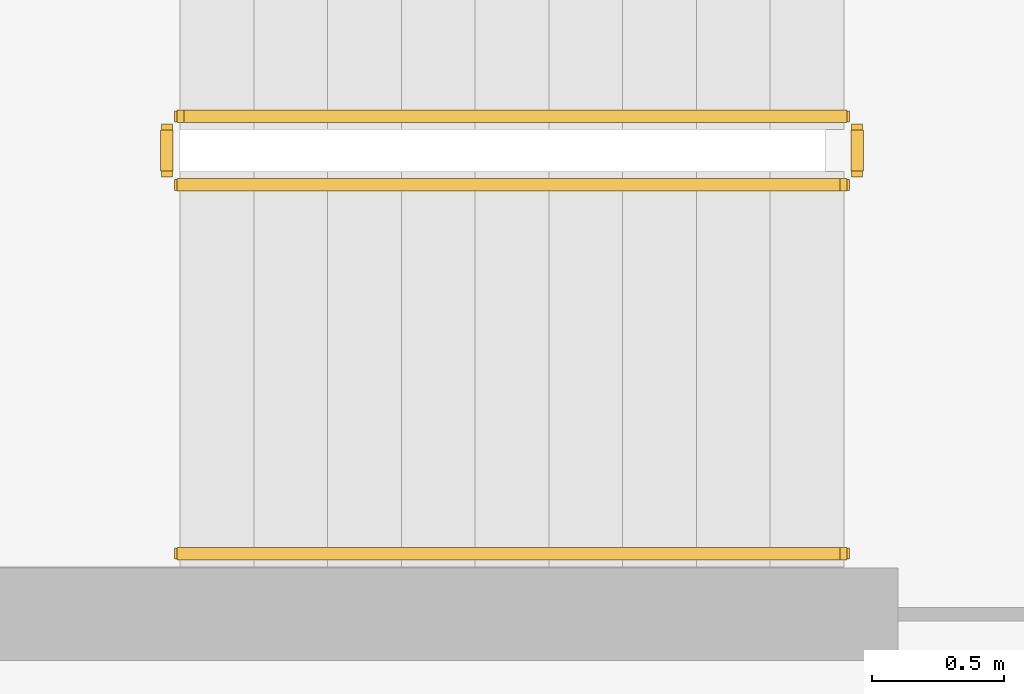
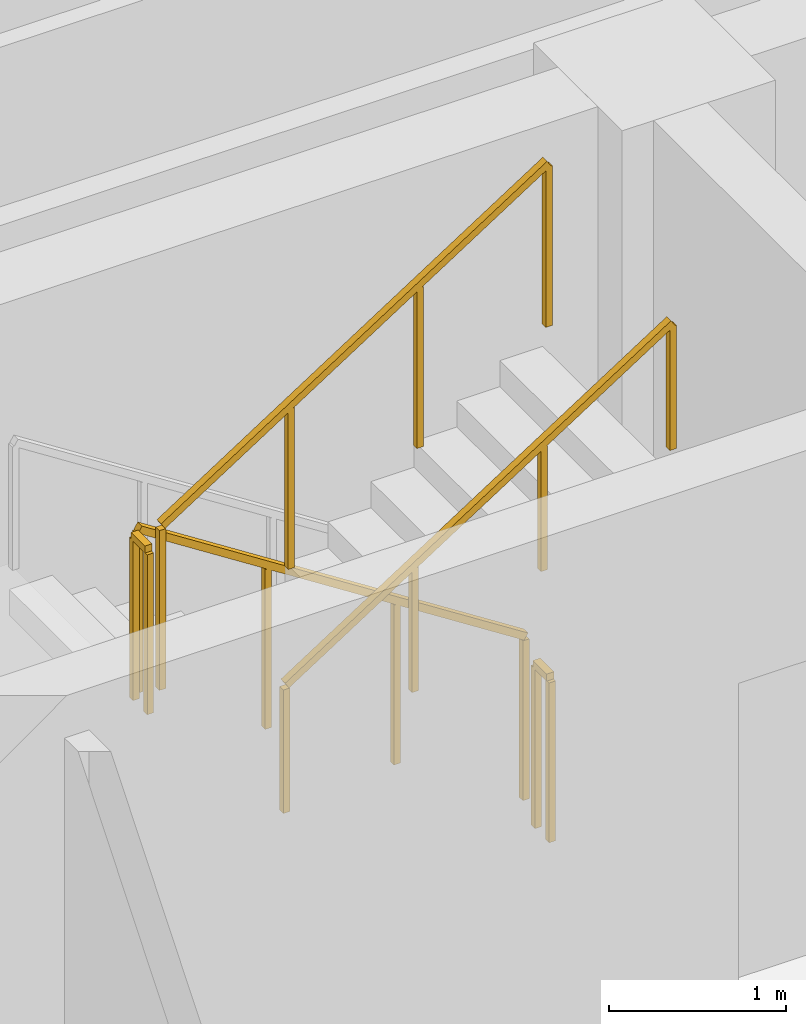
# One storey, part 11 of 13: 5 railings.
"""IFC4 building model written with IfcOpenShell, lengths in metres."""

from ifc_helpers import new_model, si_unit, direction, frame, origin, origin_2d, place, context, subcontext, project, spatial, rectangle, extrude, material, type_object, element, save


model = new_model("IFC4")

# Units and contexts
model_context = context("Model", 3, precision=1e-05, world=origin(), true_north=direction((0.0, 1.0)))
body_context = subcontext(model_context, "Body", "Model", "MODEL_VIEW")
ifc_project = project(units=[si_unit("LENGTHUNIT", "METRE"), si_unit("AREAUNIT", "SQUARE_METRE"), si_unit("VOLUMEUNIT", "CUBIC_METRE"), si_unit("PLANEANGLEUNIT", "RADIAN"), si_unit("MASSUNIT", "GRAM", prefix="KILO")], contexts=[model_context])

# Site, building, storey
site_placement = place(None, origin())
site = spatial("IfcSite", under=ifc_project, at=site_placement, CompositionType="ELEMENT")
building_placement = place(site_placement, origin())
building = spatial("IfcBuilding", under=site, at=building_placement, Name="Zarnavel Station Tower", CompositionType="ELEMENT")
storey_placement = place(building_placement, frame((0.0, 0.0, 204.0)))
storey = spatial("IfcBuildingStorey", under=building, at=storey_placement, Name="L55", CompositionType="ELEMENT", Elevation=204.0)

# Railings
ifc_material_1 = material(Name="Painted Steel S355J2 Balustrade", Category="steel")
railing_type_1 = type_object("IfcRailingType", Name="GR_INT_1150", PredefinedType="GUARDRAIL", material=ifc_material_1)
railing_1_placement = place(storey_placement, frame((19.47998046875, 35.3701171875, 0.179931640625)))
element("IfcRailing", 1, at=railing_1_placement, inside=storey, type_object=railing_type_1, Name="L55 ST1 stair guard 1", PredefinedType="GUARDRAIL", context=body_context, shape_type="SweptSolid", body=[
    extrude(rectangle(XDim=0.048095703125, YDim=0.048095703125, at=origin_2d()), frame((-0.001708984375, 0.0, 1.126953125), z_axis=(-0.841162588446, 0.0, 0.540782303519), x_axis=(0.0, -1.0, 0.0)), (0.0, 0.0, 1.0), 2.991943359375),
    extrude(rectangle(XDim=0.0419921875, YDim=0.0419921875, at=origin_2d()), origin(), (0.0, 0.0, 1.0), 1.101806640625),
    extrude(rectangle(XDim=0.0419921875, YDim=0.0419921875, at=origin_2d()), frame((-0.840087890625, 0.0, 0.5400390625)), (0.0, 0.0, 1.0), 1.101806640625),
    extrude(rectangle(XDim=0.0419921875, YDim=0.0419921875, at=origin_2d()), frame((-1.679931640625, 0.0, 1.080078125)), (0.0, 0.0, 1.0), 1.101806640625),
    extrude(rectangle(XDim=0.0419921875, YDim=0.0419921875, at=origin_2d()), frame((-2.52001953125, 0.0, 1.6201171875)), (0.0, 0.0, 1.0), 1.101806640625),
])
railing_2_placement = place(storey_placement, frame((16.909912109375, 35.320068359375, 1.800048828125)))
element("IfcRailing", 2, at=railing_2_placement, inside=storey, type_object=railing_type_1, Name="L55 ST1 stair guard 2", PredefinedType="GUARDRAIL", context=body_context, shape_type="SweptSolid", body=[
    extrude(rectangle(XDim=0.048095703125, YDim=0.048095703125, at=origin_2d()), frame((0.0, -0.001953125, 1.1259765625), z_axis=(0.0, -1.0, 0.0), x_axis=(1.0, 0.0, 0.0)), (0.0, 0.0, 1.0), 0.15625),
    extrude(rectangle(XDim=0.0419921875, YDim=0.0419921875, at=origin_2d()), origin(), (0.0, 0.0, 1.0), 1.101806640625),
    extrude(rectangle(XDim=0.0419921875, YDim=0.0419921875, at=origin_2d()), frame((0.0, -0.16015625, 0.0)), (0.0, 0.0, 1.0), 1.101806640625),
])
railing_3_placement = place(storey_placement, frame((16.9599609375, 35.110107421875, 1.97998046875)))
element("IfcRailing", 3, at=railing_3_placement, inside=storey, type_object=railing_type_1, Name="L55 ST1 stair guard 3", PredefinedType="GUARDRAIL", context=body_context, shape_type="SweptSolid", body=[
    extrude(rectangle(XDim=0.048095703125, YDim=0.048095703125, at=origin_2d()), frame((0.001708984375, 0.0, 1.126953125), z_axis=(0.841162588446, 0.0, 0.540782303519), x_axis=(0.0, 1.0, 0.0)), (0.0, 0.0, 1.0), 2.991943359375),
    extrude(rectangle(XDim=0.0419921875, YDim=0.0419921875, at=origin_2d()), origin(), (0.0, 0.0, 1.0), 1.101806640625),
    extrude(rectangle(XDim=0.0419921875, YDim=0.0419921875, at=origin_2d()), frame((0.840087890625, 0.0, 0.5400390625)), (0.0, 0.0, 1.0), 1.101806640625),
    extrude(rectangle(XDim=0.0419921875, YDim=0.0419921875, at=origin_2d()), frame((1.679931640625, 0.0, 1.080078125)), (0.0, 0.0, 1.0), 1.101806640625),
    extrude(rectangle(XDim=0.0419921875, YDim=0.0419921875, at=origin_2d()), frame((2.52001953125, 0.0, 1.6201171875)), (0.0, 0.0, 1.0), 1.101806640625),
])
railing_4_placement = place(storey_placement, frame((19.530029296875, 35.320068359375, 0.0)))
element("IfcRailing", 4, at=railing_4_placement, inside=storey, type_object=railing_type_1, Name="L55 ST1 stair guard 4", PredefinedType="GUARDRAIL", context=body_context, shape_type="SweptSolid", body=[
    extrude(rectangle(XDim=0.048095703125, YDim=0.048095703125, at=origin_2d()), frame((0.0, -0.001953125, 1.1259765625), z_axis=(0.0, -1.0, 0.0), x_axis=(1.0, 0.0, 0.0)), (0.0, 0.0, 1.0), 0.15625),
    extrude(rectangle(XDim=0.0419921875, YDim=0.0419921875, at=origin_2d()), origin(), (0.0, 0.0, 1.0), 1.101806640625),
    extrude(rectangle(XDim=0.0419921875, YDim=0.0419921875, at=origin_2d()), frame((0.0, -0.16015625, 0.0)), (0.0, 0.0, 1.0), 1.101806640625),
])
ifc_material_2 = material(Name="Brushed Stainless Steel S355J2 Handrail", Category="steel")
railing_type_2 = type_object("IfcRailingType", Name="HR_STAIR_900", PredefinedType="HANDRAIL", material=ifc_material_2)
railing_5_placement = place(storey_placement, frame((16.9599609375, 33.7099609375, 1.97998046875)))
element("IfcRailing", 5, at=railing_5_placement, inside=storey, type_object=railing_type_2, Name="L55 ST1 stair handrail 2", PredefinedType="HANDRAIL", context=body_context, shape_type="SweptSolid", body=[
    extrude(rectangle(XDim=0.048095703125, YDim=0.048095703125, at=origin_2d()), frame((0.001708984375, 0.0, 0.876953125), z_axis=(0.841162588446, 0.0, 0.540782303519), x_axis=(0.0, 1.0, 0.0)), (0.0, 0.0, 1.0), 2.991943359375),
    extrude(rectangle(XDim=0.0419921875, YDim=0.0419921875, at=origin_2d()), origin(), (0.0, 0.0, 1.0), 0.851806640625),
    extrude(rectangle(XDim=0.0419921875, YDim=0.0419921875, at=origin_2d()), frame((0.840087890625, 0.0, 0.5400390625)), (0.0, 0.0, 1.0), 0.851806640625),
    extrude(rectangle(XDim=0.0419921875, YDim=0.0419921875, at=origin_2d()), frame((1.679931640625, 0.0, 1.080078125)), (0.0, 0.0, 1.0), 0.851806640625),
    extrude(rectangle(XDim=0.0419921875, YDim=0.0419921875, at=origin_2d()), frame((2.52001953125, 0.0, 1.6201171875)), (0.0, 0.0, 1.0), 0.851806640625),
])

save(model, "model.ifc")
